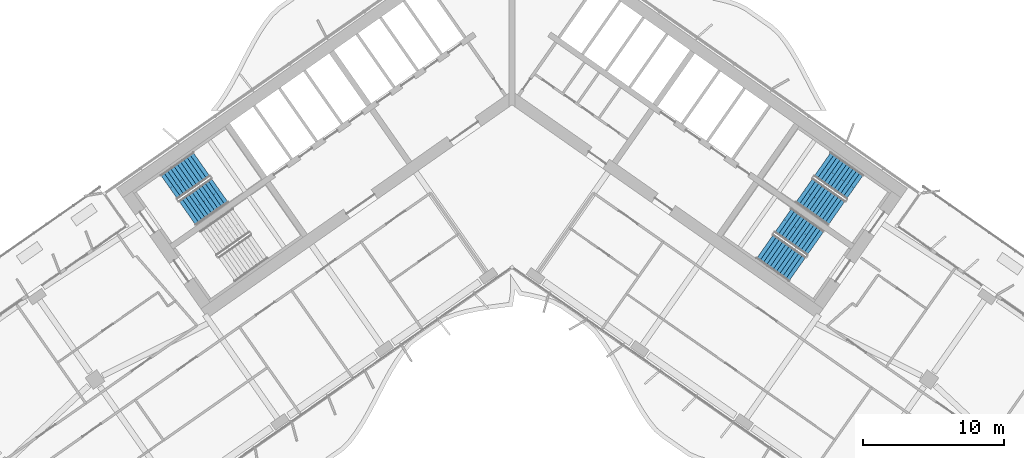
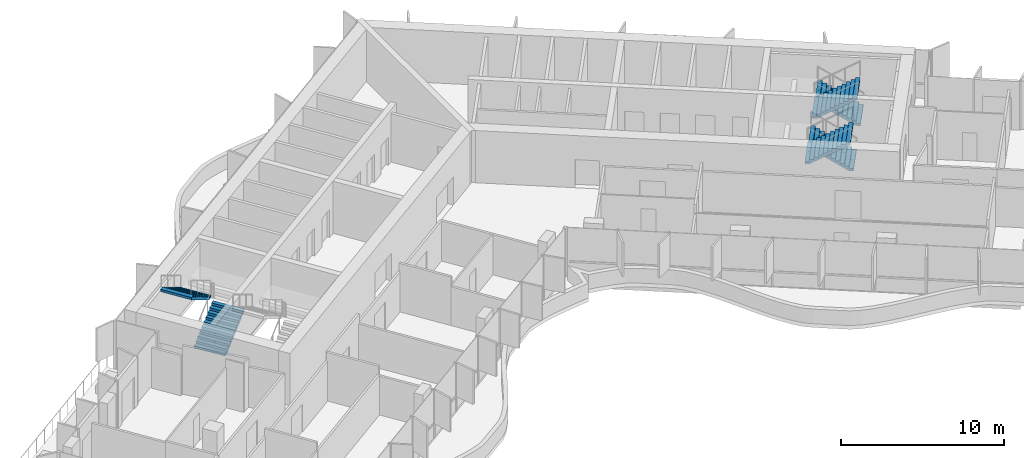
# One storey, part 17 of 24: 6 stair flights, 3 elements without a shape of their own.
"""IFC4 building model written with IfcOpenShell, lengths in metres."""

from ifc_helpers import new_model, si_unit, direction, frame, origin, place, context, subcontext, project, spatial, polyline, outline, extrude, material, type_object, element, aggregate, save


model = new_model("IFC4")

# Units and contexts
model_context = context("Model", 3, precision=1e-05, world=origin(), true_north=direction((0.0, 1.0)))
body_context = subcontext(model_context, "Body", "Model", "MODEL_VIEW")
ifc_project = project(units=[si_unit("LENGTHUNIT", "METRE"), si_unit("AREAUNIT", "SQUARE_METRE"), si_unit("VOLUMEUNIT", "CUBIC_METRE"), si_unit("PLANEANGLEUNIT", "RADIAN"), si_unit("MASSUNIT", "GRAM", prefix="KILO")], contexts=[model_context])

# Site, building, storey
site_placement = place(None, origin())
site = spatial("IfcSite", under=ifc_project, at=site_placement, CompositionType="ELEMENT")
building_placement = place(site_placement, origin())
building = spatial("IfcBuilding", under=site, at=building_placement, Name="Tel Ilan Convention Tower", CompositionType="ELEMENT")
storey_placement = place(building_placement, frame((0.0, 0.0, 132.0)))
storey = spatial("IfcBuildingStorey", under=building, at=storey_placement, Name="L29", CompositionType="ELEMENT", Elevation=132.0)

# Stair, stair flights
ifc_material_1 = material(Name="Concrete C40/50", Category="concrete")
stair_type = type_object("IfcStairType", Name="Pressurised Exit Stair 22 risers 177 mm", PredefinedType="HALF_TURN_STAIR", material=ifc_material_1)
stair_1_placement = place(storey_placement, origin())
stair_1 = element("IfcStair", 1, at=stair_1_placement, inside=storey, type_object=stair_type, Name="L29 Pressurised Stair S1", PredefinedType="HALF_TURN_STAIR")
ifc_material_2 = material(Name="Precast Concrete C40/50", Category="concrete")
stair_flight_type = type_object("IfcStairFlightType", Name="Concrete Stair Flight 2100 mm 22 risers 177 mm", PredefinedType="STRAIGHT", material=ifc_material_2)
stair_flight_1_placement = place(storey_placement, frame((-22.9619140625, -8.87548828125, 0.0), z_axis=(0.0, 0.0, 1.0), x_axis=(0.819152044289, 0.573576436351, 0.0)))
stair_flight_1 = element("IfcStairFlight", 2, at=stair_flight_1_placement, type_object=stair_flight_type, Name="S1 flight 1", NumberOfRisers=11, NumberOfTreads=10, PredefinedType="STRAIGHT", RiserHeight=0.177272727, TreadLength=0.28, context=body_context, shape_type="SweptSolid", body=[
    extrude(outline(polyline([(0.0, 0.0), (0.0, 0.17724609375), (0.280029296875, 0.17724609375), (0.280029296875, 0.3544921875), (0.56005859375, 0.3544921875), (0.56005859375, 0.53173828125), (0.840087890625, 0.53173828125), (0.840087890625, 0.708984375), (1.1201171875, 0.708984375), (1.1201171875, 0.886474609375), (1.39990234375, 0.886474609375), (1.39990234375, 1.063720703125), (1.679931640625, 1.063720703125), (1.679931640625, 1.240966796875), (1.9599609375, 1.240966796875), (1.9599609375, 1.418212890625), (2.239990234375, 1.418212890625), (2.239990234375, 1.595458984375), (2.52001953125, 1.595458984375), (2.52001953125, 1.772705078125), (2.800048828125, 1.772705078125), (2.800048828125, 1.949951171875), (2.800048828125, 1.59521484375), (0.2802734375, 0.0), (0.0, 0.0)])), frame((0.0, -0.100341796875, 0.0), z_axis=(0.0, -1.0, 0.0), x_axis=(1.0, 0.0, 0.0)), (0.0, 0.0, 1.0), 0.94970703125),
    extrude(outline(polyline([(0.0, 0.0), (0.0, 0.17724609375), (0.280029296875, 0.17724609375), (0.280029296875, 0.3544921875), (0.56005859375, 0.3544921875), (0.56005859375, 0.53173828125), (0.840087890625, 0.53173828125), (0.840087890625, 0.708984375), (1.1201171875, 0.708984375), (1.1201171875, 0.886474609375), (1.39990234375, 0.886474609375), (1.39990234375, 1.063720703125), (1.679931640625, 1.063720703125), (1.679931640625, 1.240966796875), (1.9599609375, 1.240966796875), (1.9599609375, 1.418212890625), (2.239990234375, 1.418212890625), (2.239990234375, 1.595458984375), (2.52001953125, 1.595458984375), (2.52001953125, 1.772705078125), (2.800048828125, 1.772705078125), (2.800048828125, 1.949951171875), (2.800048828125, 1.59521484375), (0.2802734375, 0.0), (0.0, 0.0)])), frame((0.0, -0.000244140625, 0.0), z_axis=(0.0, -1.0, 0.0), x_axis=(1.0, 0.0, 0.0)), (0.0, 0.0, 1.0), 0.099609375),
    extrude(outline(polyline([(0.0, 0.0), (0.0, 0.17724609375), (0.280029296875, 0.17724609375), (0.280029296875, 0.3544921875), (0.56005859375, 0.3544921875), (0.56005859375, 0.53173828125), (0.840087890625, 0.53173828125), (0.840087890625, 0.708984375), (1.1201171875, 0.708984375), (1.1201171875, 0.886474609375), (1.39990234375, 0.886474609375), (1.39990234375, 1.063720703125), (1.679931640625, 1.063720703125), (1.679931640625, 1.240966796875), (1.9599609375, 1.240966796875), (1.9599609375, 1.418212890625), (2.239990234375, 1.418212890625), (2.239990234375, 1.595458984375), (2.52001953125, 1.595458984375), (2.52001953125, 1.772705078125), (2.800048828125, 1.772705078125), (2.800048828125, 1.949951171875), (2.800048828125, 1.59521484375), (0.2802734375, 0.0), (0.0, 0.0)])), frame((0.0, 0.099853515625, 0.0), z_axis=(0.0, -1.0, 0.0), x_axis=(1.0, 0.0, 0.0)), (0.0, 0.0, 1.0), 0.099609375),
    extrude(outline(polyline([(0.0, 0.0), (0.0, 0.17724609375), (0.280029296875, 0.17724609375), (0.280029296875, 0.3544921875), (0.56005859375, 0.3544921875), (0.56005859375, 0.53173828125), (0.840087890625, 0.53173828125), (0.840087890625, 0.708984375), (1.1201171875, 0.708984375), (1.1201171875, 0.886474609375), (1.39990234375, 0.886474609375), (1.39990234375, 1.063720703125), (1.679931640625, 1.063720703125), (1.679931640625, 1.240966796875), (1.9599609375, 1.240966796875), (1.9599609375, 1.418212890625), (2.239990234375, 1.418212890625), (2.239990234375, 1.595458984375), (2.52001953125, 1.595458984375), (2.52001953125, 1.772705078125), (2.800048828125, 1.772705078125), (2.800048828125, 1.949951171875), (2.800048828125, 1.59521484375), (0.2802734375, 0.0), (0.0, 0.0)])), frame((0.0, 1.050048828125, 0.0), z_axis=(0.0, -1.0, 0.0), x_axis=(1.0, 0.0, 0.0)), (0.0, 0.0, 1.0), 0.94970703125),
])
stair_flight_2_placement = place(storey_placement, frame((-21.958740234375, -5.42626953125, 1.949951171875), z_axis=(0.0, 0.0, 1.0), x_axis=(-0.819152044289, -0.573576436351, 0.0)))
stair_flight_2 = element("IfcStairFlight", 3, at=stair_flight_2_placement, type_object=stair_flight_type, Name="S1 flight 2", NumberOfRisers=11, NumberOfTreads=10, PredefinedType="STRAIGHT", RiserHeight=0.177272727, TreadLength=0.28, context=body_context, shape_type="SweptSolid", body=[
    extrude(outline(polyline([(0.0, 0.0), (0.0, 0.17724609375), (0.280029296875, 0.17724609375), (0.280029296875, 0.3544921875), (0.56005859375, 0.3544921875), (0.56005859375, 0.53173828125), (0.840087890625, 0.53173828125), (0.840087890625, 0.708984375), (1.1201171875, 0.708984375), (1.1201171875, 0.886474609375), (1.39990234375, 0.886474609375), (1.39990234375, 1.063720703125), (1.679931640625, 1.063720703125), (1.679931640625, 1.240966796875), (1.9599609375, 1.240966796875), (1.9599609375, 1.418212890625), (2.239990234375, 1.418212890625), (2.239990234375, 1.595458984375), (2.52001953125, 1.595458984375), (2.52001953125, 1.772705078125), (2.800048828125, 1.772705078125), (2.800048828125, 1.949951171875), (2.800048828125, 1.59521484375), (0.2802734375, 0.0), (0.0, 0.0)])), frame((0.0, -0.100341796875, 0.0), z_axis=(0.0, -1.0, 0.0), x_axis=(1.0, 0.0, 0.0)), (0.0, 0.0, 1.0), 0.94970703125),
    extrude(outline(polyline([(0.0, 0.0), (0.0, 0.17724609375), (0.280029296875, 0.17724609375), (0.280029296875, 0.3544921875), (0.56005859375, 0.3544921875), (0.56005859375, 0.53173828125), (0.840087890625, 0.53173828125), (0.840087890625, 0.708984375), (1.1201171875, 0.708984375), (1.1201171875, 0.886474609375), (1.39990234375, 0.886474609375), (1.39990234375, 1.063720703125), (1.679931640625, 1.063720703125), (1.679931640625, 1.240966796875), (1.9599609375, 1.240966796875), (1.9599609375, 1.418212890625), (2.239990234375, 1.418212890625), (2.239990234375, 1.595458984375), (2.52001953125, 1.595458984375), (2.52001953125, 1.772705078125), (2.800048828125, 1.772705078125), (2.800048828125, 1.949951171875), (2.800048828125, 1.59521484375), (0.2802734375, 0.0), (0.0, 0.0)])), frame((0.0, -0.000244140625, 0.0), z_axis=(0.0, -1.0, 0.0), x_axis=(1.0, 0.0, 0.0)), (0.0, 0.0, 1.0), 0.099609375),
    extrude(outline(polyline([(0.0, 0.0), (0.0, 0.17724609375), (0.280029296875, 0.17724609375), (0.280029296875, 0.3544921875), (0.56005859375, 0.3544921875), (0.56005859375, 0.53173828125), (0.840087890625, 0.53173828125), (0.840087890625, 0.708984375), (1.1201171875, 0.708984375), (1.1201171875, 0.886474609375), (1.39990234375, 0.886474609375), (1.39990234375, 1.063720703125), (1.679931640625, 1.063720703125), (1.679931640625, 1.240966796875), (1.9599609375, 1.240966796875), (1.9599609375, 1.418212890625), (2.239990234375, 1.418212890625), (2.239990234375, 1.595458984375), (2.52001953125, 1.595458984375), (2.52001953125, 1.772705078125), (2.800048828125, 1.772705078125), (2.800048828125, 1.949951171875), (2.800048828125, 1.59521484375), (0.2802734375, 0.0), (0.0, 0.0)])), frame((0.0, 0.099853515625, 0.0), z_axis=(0.0, -1.0, 0.0), x_axis=(1.0, 0.0, 0.0)), (0.0, 0.0, 1.0), 0.099609375),
    extrude(outline(polyline([(0.0, 0.0), (0.0, 0.17724609375), (0.280029296875, 0.17724609375), (0.280029296875, 0.3544921875), (0.56005859375, 0.3544921875), (0.56005859375, 0.53173828125), (0.840087890625, 0.53173828125), (0.840087890625, 0.708984375), (1.1201171875, 0.708984375), (1.1201171875, 0.886474609375), (1.39990234375, 0.886474609375), (1.39990234375, 1.063720703125), (1.679931640625, 1.063720703125), (1.679931640625, 1.240966796875), (1.9599609375, 1.240966796875), (1.9599609375, 1.418212890625), (2.239990234375, 1.418212890625), (2.239990234375, 1.595458984375), (2.52001953125, 1.595458984375), (2.52001953125, 1.772705078125), (2.800048828125, 1.772705078125), (2.800048828125, 1.949951171875), (2.800048828125, 1.59521484375), (0.2802734375, 0.0), (0.0, 0.0)])), frame((0.0, 1.050048828125, 0.0), z_axis=(0.0, -1.0, 0.0), x_axis=(1.0, 0.0, 0.0)), (0.0, 0.0, 1.0), 0.94970703125),
])
aggregate(stair_1, [stair_flight_1, stair_flight_2])

stair_2_placement = place(storey_placement, origin())
stair_2 = element("IfcStair", 4, at=stair_2_placement, inside=storey, type_object=stair_type, Name="L29 Pressurised Stair S3", PredefinedType="HALF_TURN_STAIR")
stair_flight_3_placement = place(storey_placement, frame((24.25244140625, -7.032470703125, 0.0), z_axis=(0.0, 0.0, 1.0), x_axis=(-0.819152044289, 0.573576436351, 0.0)))
stair_flight_3 = element("IfcStairFlight", 5, at=stair_flight_3_placement, type_object=stair_flight_type, Name="S3 flight 1", NumberOfRisers=11, NumberOfTreads=10, PredefinedType="STRAIGHT", RiserHeight=0.177272727, TreadLength=0.28, context=body_context, shape_type="SweptSolid", body=[
    extrude(outline(polyline([(0.0, 0.0), (0.0, 0.17724609375), (0.280029296875, 0.17724609375), (0.280029296875, 0.3544921875), (0.56005859375, 0.3544921875), (0.56005859375, 0.53173828125), (0.840087890625, 0.53173828125), (0.840087890625, 0.708984375), (1.1201171875, 0.708984375), (1.1201171875, 0.886474609375), (1.39990234375, 0.886474609375), (1.39990234375, 1.063720703125), (1.679931640625, 1.063720703125), (1.679931640625, 1.240966796875), (1.9599609375, 1.240966796875), (1.9599609375, 1.418212890625), (2.239990234375, 1.418212890625), (2.239990234375, 1.595458984375), (2.52001953125, 1.595458984375), (2.52001953125, 1.772705078125), (2.800048828125, 1.772705078125), (2.800048828125, 1.949951171875), (2.800048828125, 1.59521484375), (0.2802734375, 0.0), (0.0, 0.0)])), frame((0.0, -0.100341796875, 0.0), z_axis=(0.0, -1.0, 0.0), x_axis=(1.0, 0.0, 0.0)), (0.0, 0.0, 1.0), 0.94970703125),
    extrude(outline(polyline([(0.0, 0.0), (0.0, 0.17724609375), (0.280029296875, 0.17724609375), (0.280029296875, 0.3544921875), (0.56005859375, 0.3544921875), (0.56005859375, 0.53173828125), (0.840087890625, 0.53173828125), (0.840087890625, 0.708984375), (1.1201171875, 0.708984375), (1.1201171875, 0.886474609375), (1.39990234375, 0.886474609375), (1.39990234375, 1.063720703125), (1.679931640625, 1.063720703125), (1.679931640625, 1.240966796875), (1.9599609375, 1.240966796875), (1.9599609375, 1.418212890625), (2.239990234375, 1.418212890625), (2.239990234375, 1.595458984375), (2.52001953125, 1.595458984375), (2.52001953125, 1.772705078125), (2.800048828125, 1.772705078125), (2.800048828125, 1.949951171875), (2.800048828125, 1.59521484375), (0.2802734375, 0.0), (0.0, 0.0)])), frame((0.0, -0.000244140625, 0.0), z_axis=(0.0, -1.0, 0.0), x_axis=(1.0, 0.0, 0.0)), (0.0, 0.0, 1.0), 0.099609375),
    extrude(outline(polyline([(0.0, 0.0), (0.0, 0.17724609375), (0.280029296875, 0.17724609375), (0.280029296875, 0.3544921875), (0.56005859375, 0.3544921875), (0.56005859375, 0.53173828125), (0.840087890625, 0.53173828125), (0.840087890625, 0.708984375), (1.1201171875, 0.708984375), (1.1201171875, 0.886474609375), (1.39990234375, 0.886474609375), (1.39990234375, 1.063720703125), (1.679931640625, 1.063720703125), (1.679931640625, 1.240966796875), (1.9599609375, 1.240966796875), (1.9599609375, 1.418212890625), (2.239990234375, 1.418212890625), (2.239990234375, 1.595458984375), (2.52001953125, 1.595458984375), (2.52001953125, 1.772705078125), (2.800048828125, 1.772705078125), (2.800048828125, 1.949951171875), (2.800048828125, 1.59521484375), (0.2802734375, 0.0), (0.0, 0.0)])), frame((0.0, 0.099853515625, 0.0), z_axis=(0.0, -1.0, 0.0), x_axis=(1.0, 0.0, 0.0)), (0.0, 0.0, 1.0), 0.099609375),
    extrude(outline(polyline([(0.0, 0.0), (0.0, 0.17724609375), (0.280029296875, 0.17724609375), (0.280029296875, 0.3544921875), (0.56005859375, 0.3544921875), (0.56005859375, 0.53173828125), (0.840087890625, 0.53173828125), (0.840087890625, 0.708984375), (1.1201171875, 0.708984375), (1.1201171875, 0.886474609375), (1.39990234375, 0.886474609375), (1.39990234375, 1.063720703125), (1.679931640625, 1.063720703125), (1.679931640625, 1.240966796875), (1.9599609375, 1.240966796875), (1.9599609375, 1.418212890625), (2.239990234375, 1.418212890625), (2.239990234375, 1.595458984375), (2.52001953125, 1.595458984375), (2.52001953125, 1.772705078125), (2.800048828125, 1.772705078125), (2.800048828125, 1.949951171875), (2.800048828125, 1.59521484375), (0.2802734375, 0.0), (0.0, 0.0)])), frame((0.0, 1.050048828125, 0.0), z_axis=(0.0, -1.0, 0.0), x_axis=(1.0, 0.0, 0.0)), (0.0, 0.0, 1.0), 0.94970703125),
])
stair_flight_4_placement = place(storey_placement, frame((20.668212890625, -7.26953125, 1.949951171875), z_axis=(0.0, 0.0, 1.0), x_axis=(0.819152044289, -0.573576436351, 0.0)))
stair_flight_4 = element("IfcStairFlight", 6, at=stair_flight_4_placement, type_object=stair_flight_type, Name="S3 flight 2", NumberOfRisers=11, NumberOfTreads=10, PredefinedType="STRAIGHT", RiserHeight=0.177272727, TreadLength=0.28, context=body_context, shape_type="SweptSolid", body=[
    extrude(outline(polyline([(0.0, 0.0), (0.0, 0.17724609375), (0.280029296875, 0.17724609375), (0.280029296875, 0.3544921875), (0.56005859375, 0.3544921875), (0.56005859375, 0.53173828125), (0.840087890625, 0.53173828125), (0.840087890625, 0.708984375), (1.1201171875, 0.708984375), (1.1201171875, 0.886474609375), (1.39990234375, 0.886474609375), (1.39990234375, 1.063720703125), (1.679931640625, 1.063720703125), (1.679931640625, 1.240966796875), (1.9599609375, 1.240966796875), (1.9599609375, 1.418212890625), (2.239990234375, 1.418212890625), (2.239990234375, 1.595458984375), (2.52001953125, 1.595458984375), (2.52001953125, 1.772705078125), (2.800048828125, 1.772705078125), (2.800048828125, 1.949951171875), (2.800048828125, 1.59521484375), (0.2802734375, 0.0), (0.0, 0.0)])), frame((0.0, -0.100341796875, 0.0), z_axis=(0.0, -1.0, 0.0), x_axis=(1.0, 0.0, 0.0)), (0.0, 0.0, 1.0), 0.94970703125),
    extrude(outline(polyline([(0.0, 0.0), (0.0, 0.17724609375), (0.280029296875, 0.17724609375), (0.280029296875, 0.3544921875), (0.56005859375, 0.3544921875), (0.56005859375, 0.53173828125), (0.840087890625, 0.53173828125), (0.840087890625, 0.708984375), (1.1201171875, 0.708984375), (1.1201171875, 0.886474609375), (1.39990234375, 0.886474609375), (1.39990234375, 1.063720703125), (1.679931640625, 1.063720703125), (1.679931640625, 1.240966796875), (1.9599609375, 1.240966796875), (1.9599609375, 1.418212890625), (2.239990234375, 1.418212890625), (2.239990234375, 1.595458984375), (2.52001953125, 1.595458984375), (2.52001953125, 1.772705078125), (2.800048828125, 1.772705078125), (2.800048828125, 1.949951171875), (2.800048828125, 1.59521484375), (0.2802734375, 0.0), (0.0, 0.0)])), frame((0.0, -0.000244140625, 0.0), z_axis=(0.0, -1.0, 0.0), x_axis=(1.0, 0.0, 0.0)), (0.0, 0.0, 1.0), 0.099609375),
    extrude(outline(polyline([(0.0, 0.0), (0.0, 0.17724609375), (0.280029296875, 0.17724609375), (0.280029296875, 0.3544921875), (0.56005859375, 0.3544921875), (0.56005859375, 0.53173828125), (0.840087890625, 0.53173828125), (0.840087890625, 0.708984375), (1.1201171875, 0.708984375), (1.1201171875, 0.886474609375), (1.39990234375, 0.886474609375), (1.39990234375, 1.063720703125), (1.679931640625, 1.063720703125), (1.679931640625, 1.240966796875), (1.9599609375, 1.240966796875), (1.9599609375, 1.418212890625), (2.239990234375, 1.418212890625), (2.239990234375, 1.595458984375), (2.52001953125, 1.595458984375), (2.52001953125, 1.772705078125), (2.800048828125, 1.772705078125), (2.800048828125, 1.949951171875), (2.800048828125, 1.59521484375), (0.2802734375, 0.0), (0.0, 0.0)])), frame((0.0, 0.099853515625, 0.0), z_axis=(0.0, -1.0, 0.0), x_axis=(1.0, 0.0, 0.0)), (0.0, 0.0, 1.0), 0.099609375),
    extrude(outline(polyline([(0.0, 0.0), (0.0, 0.17724609375), (0.280029296875, 0.17724609375), (0.280029296875, 0.3544921875), (0.56005859375, 0.3544921875), (0.56005859375, 0.53173828125), (0.840087890625, 0.53173828125), (0.840087890625, 0.708984375), (1.1201171875, 0.708984375), (1.1201171875, 0.886474609375), (1.39990234375, 0.886474609375), (1.39990234375, 1.063720703125), (1.679931640625, 1.063720703125), (1.679931640625, 1.240966796875), (1.9599609375, 1.240966796875), (1.9599609375, 1.418212890625), (2.239990234375, 1.418212890625), (2.239990234375, 1.595458984375), (2.52001953125, 1.595458984375), (2.52001953125, 1.772705078125), (2.800048828125, 1.772705078125), (2.800048828125, 1.949951171875), (2.800048828125, 1.59521484375), (0.2802734375, 0.0), (0.0, 0.0)])), frame((0.0, 1.050048828125, 0.0), z_axis=(0.0, -1.0, 0.0), x_axis=(1.0, 0.0, 0.0)), (0.0, 0.0, 1.0), 0.94970703125),
])
aggregate(stair_2, [stair_flight_3, stair_flight_4])

stair_3_placement = place(storey_placement, origin())
stair_3 = element("IfcStair", 7, at=stair_3_placement, inside=storey, type_object=stair_type, Name="L29 Pressurised Stair S4", PredefinedType="HALF_TURN_STAIR")
stair_flight_5_placement = place(storey_placement, frame((21.470458984375, -11.00537109375, 0.0), z_axis=(0.0, 0.0, 1.0), x_axis=(-0.819152044289, 0.573576436351, 0.0)))
stair_flight_5 = element("IfcStairFlight", 8, at=stair_flight_5_placement, type_object=stair_flight_type, Name="S4 flight 1", NumberOfRisers=11, NumberOfTreads=10, PredefinedType="STRAIGHT", RiserHeight=0.177272727, TreadLength=0.28, context=body_context, shape_type="SweptSolid", body=[
    extrude(outline(polyline([(0.0, 0.0), (0.0, 0.17724609375), (0.280029296875, 0.17724609375), (0.280029296875, 0.3544921875), (0.56005859375, 0.3544921875), (0.56005859375, 0.53173828125), (0.840087890625, 0.53173828125), (0.840087890625, 0.708984375), (1.1201171875, 0.708984375), (1.1201171875, 0.886474609375), (1.39990234375, 0.886474609375), (1.39990234375, 1.063720703125), (1.679931640625, 1.063720703125), (1.679931640625, 1.240966796875), (1.9599609375, 1.240966796875), (1.9599609375, 1.418212890625), (2.239990234375, 1.418212890625), (2.239990234375, 1.595458984375), (2.52001953125, 1.595458984375), (2.52001953125, 1.772705078125), (2.800048828125, 1.772705078125), (2.800048828125, 1.949951171875), (2.800048828125, 1.59521484375), (0.2802734375, 0.0), (0.0, 0.0)])), frame((0.0, -0.100341796875, 0.0), z_axis=(0.0, -1.0, 0.0), x_axis=(1.0, 0.0, 0.0)), (0.0, 0.0, 1.0), 0.94970703125),
    extrude(outline(polyline([(0.0, 0.0), (0.0, 0.17724609375), (0.280029296875, 0.17724609375), (0.280029296875, 0.3544921875), (0.56005859375, 0.3544921875), (0.56005859375, 0.53173828125), (0.840087890625, 0.53173828125), (0.840087890625, 0.708984375), (1.1201171875, 0.708984375), (1.1201171875, 0.886474609375), (1.39990234375, 0.886474609375), (1.39990234375, 1.063720703125), (1.679931640625, 1.063720703125), (1.679931640625, 1.240966796875), (1.9599609375, 1.240966796875), (1.9599609375, 1.418212890625), (2.239990234375, 1.418212890625), (2.239990234375, 1.595458984375), (2.52001953125, 1.595458984375), (2.52001953125, 1.772705078125), (2.800048828125, 1.772705078125), (2.800048828125, 1.949951171875), (2.800048828125, 1.59521484375), (0.2802734375, 0.0), (0.0, 0.0)])), frame((0.0, -0.000244140625, 0.0), z_axis=(0.0, -1.0, 0.0), x_axis=(1.0, 0.0, 0.0)), (0.0, 0.0, 1.0), 0.099609375),
    extrude(outline(polyline([(0.0, 0.0), (0.0, 0.17724609375), (0.280029296875, 0.17724609375), (0.280029296875, 0.3544921875), (0.56005859375, 0.3544921875), (0.56005859375, 0.53173828125), (0.840087890625, 0.53173828125), (0.840087890625, 0.708984375), (1.1201171875, 0.708984375), (1.1201171875, 0.886474609375), (1.39990234375, 0.886474609375), (1.39990234375, 1.063720703125), (1.679931640625, 1.063720703125), (1.679931640625, 1.240966796875), (1.9599609375, 1.240966796875), (1.9599609375, 1.418212890625), (2.239990234375, 1.418212890625), (2.239990234375, 1.595458984375), (2.52001953125, 1.595458984375), (2.52001953125, 1.772705078125), (2.800048828125, 1.772705078125), (2.800048828125, 1.949951171875), (2.800048828125, 1.59521484375), (0.2802734375, 0.0), (0.0, 0.0)])), frame((0.0, 0.099853515625, 0.0), z_axis=(0.0, -1.0, 0.0), x_axis=(1.0, 0.0, 0.0)), (0.0, 0.0, 1.0), 0.099609375),
    extrude(outline(polyline([(0.0, 0.0), (0.0, 0.17724609375), (0.280029296875, 0.17724609375), (0.280029296875, 0.3544921875), (0.56005859375, 0.3544921875), (0.56005859375, 0.53173828125), (0.840087890625, 0.53173828125), (0.840087890625, 0.708984375), (1.1201171875, 0.708984375), (1.1201171875, 0.886474609375), (1.39990234375, 0.886474609375), (1.39990234375, 1.063720703125), (1.679931640625, 1.063720703125), (1.679931640625, 1.240966796875), (1.9599609375, 1.240966796875), (1.9599609375, 1.418212890625), (2.239990234375, 1.418212890625), (2.239990234375, 1.595458984375), (2.52001953125, 1.595458984375), (2.52001953125, 1.772705078125), (2.800048828125, 1.772705078125), (2.800048828125, 1.949951171875), (2.800048828125, 1.59521484375), (0.2802734375, 0.0), (0.0, 0.0)])), frame((0.0, 1.050048828125, 0.0), z_axis=(0.0, -1.0, 0.0), x_axis=(1.0, 0.0, 0.0)), (0.0, 0.0, 1.0), 0.94970703125),
])
stair_flight_6_placement = place(storey_placement, frame((17.886474609375, -11.242431640625, 1.949951171875), z_axis=(0.0, 0.0, 1.0), x_axis=(0.819152044289, -0.573576436351, 0.0)))
stair_flight_6 = element("IfcStairFlight", 9, at=stair_flight_6_placement, type_object=stair_flight_type, Name="S4 flight 2", NumberOfRisers=11, NumberOfTreads=10, PredefinedType="STRAIGHT", RiserHeight=0.177272727, TreadLength=0.28, context=body_context, shape_type="SweptSolid", body=[
    extrude(outline(polyline([(0.0, 0.0), (0.0, 0.17724609375), (0.280029296875, 0.17724609375), (0.280029296875, 0.3544921875), (0.56005859375, 0.3544921875), (0.56005859375, 0.53173828125), (0.840087890625, 0.53173828125), (0.840087890625, 0.708984375), (1.1201171875, 0.708984375), (1.1201171875, 0.886474609375), (1.39990234375, 0.886474609375), (1.39990234375, 1.063720703125), (1.679931640625, 1.063720703125), (1.679931640625, 1.240966796875), (1.9599609375, 1.240966796875), (1.9599609375, 1.418212890625), (2.239990234375, 1.418212890625), (2.239990234375, 1.595458984375), (2.52001953125, 1.595458984375), (2.52001953125, 1.772705078125), (2.800048828125, 1.772705078125), (2.800048828125, 1.949951171875), (2.800048828125, 1.59521484375), (0.2802734375, 0.0), (0.0, 0.0)])), frame((0.0, -0.100341796875, 0.0), z_axis=(0.0, -1.0, 0.0), x_axis=(1.0, 0.0, 0.0)), (0.0, 0.0, 1.0), 0.94970703125),
    extrude(outline(polyline([(0.0, 0.0), (0.0, 0.17724609375), (0.280029296875, 0.17724609375), (0.280029296875, 0.3544921875), (0.56005859375, 0.3544921875), (0.56005859375, 0.53173828125), (0.840087890625, 0.53173828125), (0.840087890625, 0.708984375), (1.1201171875, 0.708984375), (1.1201171875, 0.886474609375), (1.39990234375, 0.886474609375), (1.39990234375, 1.063720703125), (1.679931640625, 1.063720703125), (1.679931640625, 1.240966796875), (1.9599609375, 1.240966796875), (1.9599609375, 1.418212890625), (2.239990234375, 1.418212890625), (2.239990234375, 1.595458984375), (2.52001953125, 1.595458984375), (2.52001953125, 1.772705078125), (2.800048828125, 1.772705078125), (2.800048828125, 1.949951171875), (2.800048828125, 1.59521484375), (0.2802734375, 0.0), (0.0, 0.0)])), frame((0.0, -0.000244140625, 0.0), z_axis=(0.0, -1.0, 0.0), x_axis=(1.0, 0.0, 0.0)), (0.0, 0.0, 1.0), 0.099609375),
    extrude(outline(polyline([(0.0, 0.0), (0.0, 0.17724609375), (0.280029296875, 0.17724609375), (0.280029296875, 0.3544921875), (0.56005859375, 0.3544921875), (0.56005859375, 0.53173828125), (0.840087890625, 0.53173828125), (0.840087890625, 0.708984375), (1.1201171875, 0.708984375), (1.1201171875, 0.886474609375), (1.39990234375, 0.886474609375), (1.39990234375, 1.063720703125), (1.679931640625, 1.063720703125), (1.679931640625, 1.240966796875), (1.9599609375, 1.240966796875), (1.9599609375, 1.418212890625), (2.239990234375, 1.418212890625), (2.239990234375, 1.595458984375), (2.52001953125, 1.595458984375), (2.52001953125, 1.772705078125), (2.800048828125, 1.772705078125), (2.800048828125, 1.949951171875), (2.800048828125, 1.59521484375), (0.2802734375, 0.0), (0.0, 0.0)])), frame((0.0, 0.099853515625, 0.0), z_axis=(0.0, -1.0, 0.0), x_axis=(1.0, 0.0, 0.0)), (0.0, 0.0, 1.0), 0.099609375),
    extrude(outline(polyline([(0.0, 0.0), (0.0, 0.17724609375), (0.280029296875, 0.17724609375), (0.280029296875, 0.3544921875), (0.56005859375, 0.3544921875), (0.56005859375, 0.53173828125), (0.840087890625, 0.53173828125), (0.840087890625, 0.708984375), (1.1201171875, 0.708984375), (1.1201171875, 0.886474609375), (1.39990234375, 0.886474609375), (1.39990234375, 1.063720703125), (1.679931640625, 1.063720703125), (1.679931640625, 1.240966796875), (1.9599609375, 1.240966796875), (1.9599609375, 1.418212890625), (2.239990234375, 1.418212890625), (2.239990234375, 1.595458984375), (2.52001953125, 1.595458984375), (2.52001953125, 1.772705078125), (2.800048828125, 1.772705078125), (2.800048828125, 1.949951171875), (2.800048828125, 1.59521484375), (0.2802734375, 0.0), (0.0, 0.0)])), frame((0.0, 1.050048828125, 0.0), z_axis=(0.0, -1.0, 0.0), x_axis=(1.0, 0.0, 0.0)), (0.0, 0.0, 1.0), 0.94970703125),
])
aggregate(stair_3, [stair_flight_5, stair_flight_6])

save(model, "model.ifc")
